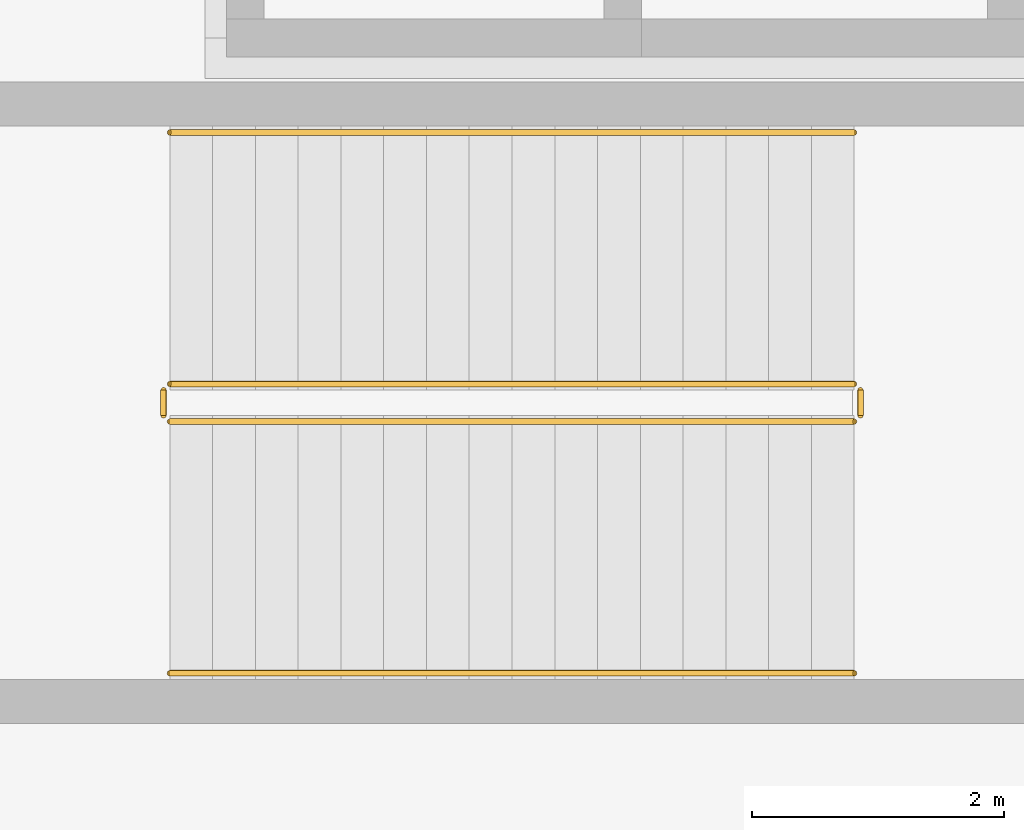
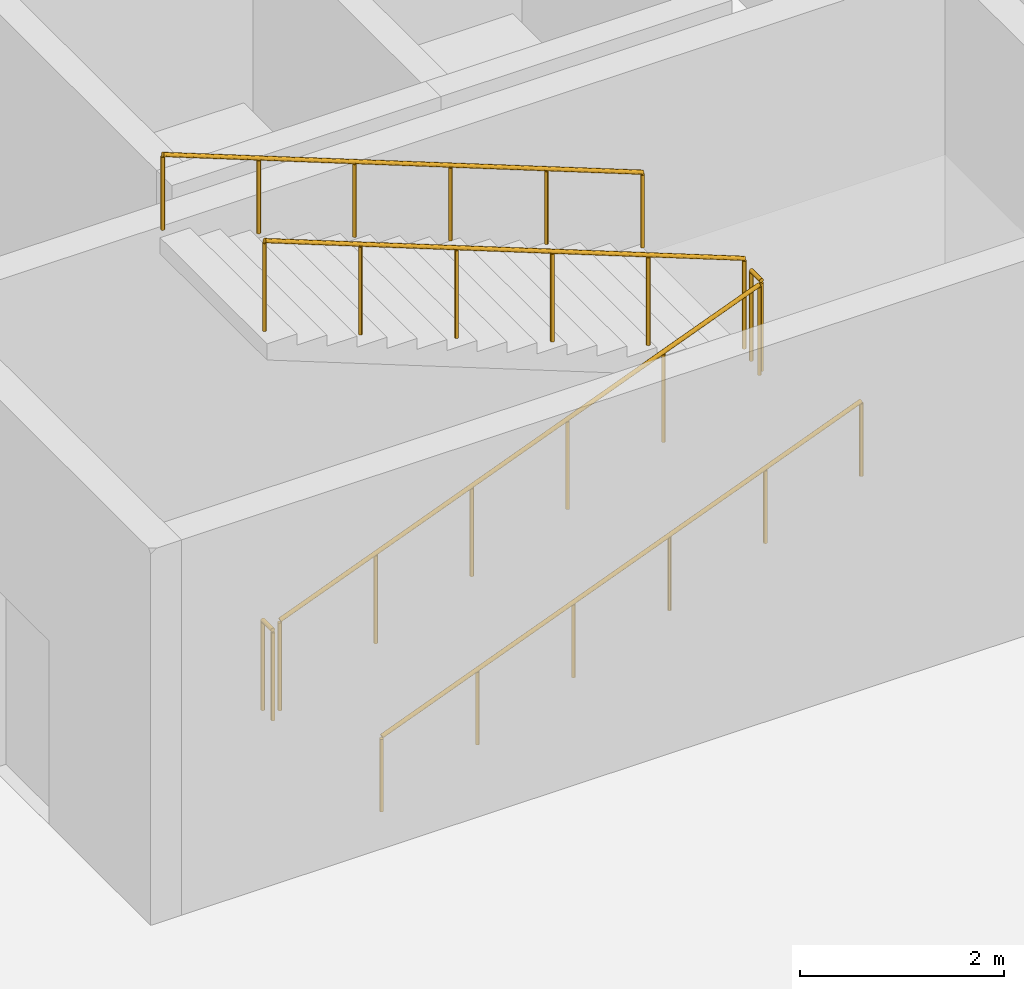
# One storey, part 31 of 33: 6 railings.
"""IFC4 building model written with IfcOpenShell, lengths in metres."""

from ifc_helpers import new_model, si_unit, direction, frame, origin, origin_2d, place, context, subcontext, project, spatial, circle, extrude, material, type_object, element, save


model = new_model("IFC4")

# Units and contexts
model_context = context("Model", 3, precision=1e-05, world=origin(), true_north=direction((0.0, 1.0)))
body_context = subcontext(model_context, "Body", "Model", "MODEL_VIEW")
ifc_project = project(units=[si_unit("LENGTHUNIT", "METRE"), si_unit("AREAUNIT", "SQUARE_METRE"), si_unit("VOLUMEUNIT", "CUBIC_METRE"), si_unit("PLANEANGLEUNIT", "RADIAN"), si_unit("MASSUNIT", "GRAM", prefix="KILO")], contexts=[model_context])

# Site, building, storey
site_placement = place(None, origin())
site = spatial("IfcSite", under=ifc_project, at=site_placement, CompositionType="ELEMENT")
building_placement = place(site_placement, origin())
building = spatial("IfcBuilding", under=site, at=building_placement, Name="Veldera Park Congress Hotel", CompositionType="ELEMENT")
storey_placement = place(building_placement, frame((0.0, 0.0, -4.5)))
storey = spatial("IfcBuildingStorey", under=building, at=storey_placement, Name="B1", CompositionType="ELEMENT", Elevation=-4.5)

# Railings
ifc_material = material(Name="Steel ASTM A992 Gr.50", Category="steel")
railing_type_1 = type_object("IfcRailingType", Name="GRD-ST110", PredefinedType="GUARDRAIL", material=ifc_material)
railing_1_placement = place(storey_placement, frame((73.699951171875, -9.14990234375, 0.13232421875)))
element("IfcRailing", 1, at=railing_1_placement, inside=storey, type_object=railing_type_1, Name="B1 ST2 stair guard 1", PredefinedType="GUARDRAIL", context=body_context, shape_type="SweptSolid", body=[
    extrude(circle(Radius=0.02392578125, at=origin_2d()), frame((0.0, 0.0, 1.076171875), z_axis=(0.93188060822, 0.0, 0.362765119635), x_axis=(0.0, 1.0, 0.0)), (0.0, 0.0, 1.0), 5.837646484375),
    extrude(circle(Radius=0.02099609375, at=origin_2d()), origin(), (0.0, 0.0, 1.0), 1.052001953125),
    extrude(circle(Radius=0.02099609375, at=origin_2d()), frame((1.087890625, 0.0, 0.423583984375)), (0.0, 0.0, 1.0), 1.052001953125),
    extrude(circle(Radius=0.02099609375, at=origin_2d()), frame((2.176025390625, 0.0, 0.84716796875)), (0.0, 0.0, 1.0), 1.052001953125),
    extrude(circle(Radius=0.02099609375, at=origin_2d()), frame((3.263916015625, 0.0, 1.2705078125)), (0.0, 0.0, 1.0), 1.052001953125),
    extrude(circle(Radius=0.02099609375, at=origin_2d()), frame((4.35205078125, 0.0, 1.694091796875)), (0.0, 0.0, 1.0), 1.052001953125),
    extrude(circle(Radius=0.02099609375, at=origin_2d()), frame((5.43994140625, 0.0, 2.11767578125)), (0.0, 0.0, 1.0), 1.052001953125),
])
railing_2_placement = place(storey_placement, frame((79.18994140625, -9.10009765625, 2.25)))
element("IfcRailing", 2, at=railing_2_placement, inside=storey, type_object=railing_type_1, Name="B1 ST2 stair guard 2", PredefinedType="GUARDRAIL", context=body_context, shape_type="SweptSolid", body=[
    extrude(circle(Radius=0.02392578125, at=origin_2d()), frame((0.0, 0.0, 1.076171875), z_axis=(0.0, 1.0, 0.0), x_axis=(-1.0, 0.0, 0.0)), (0.0, 0.0, 1.0), 0.2001953125),
    extrude(circle(Radius=0.02099609375, at=origin_2d()), origin(), (0.0, 0.0, 1.0), 1.052001953125),
    extrude(circle(Radius=0.02099609375, at=origin_2d()), frame((0.0, 0.2001953125, 0.0)), (0.0, 0.0, 1.0), 1.052001953125),
])
railing_3_placement = place(storey_placement, frame((79.139892578125, -8.85009765625, 2.38232421875)))
element("IfcRailing", 3, at=railing_3_placement, inside=storey, type_object=railing_type_1, Name="B1 ST2 stair guard 3", PredefinedType="GUARDRAIL", context=body_context, shape_type="SweptSolid", body=[
    extrude(circle(Radius=0.02392578125, at=origin_2d()), frame((0.0, 0.0, 1.076171875), z_axis=(-0.93188060822, 0.0, 0.362765119635), x_axis=(0.0, -1.0, 0.0)), (0.0, 0.0, 1.0), 5.837646484375),
    extrude(circle(Radius=0.02099609375, at=origin_2d()), origin(), (0.0, 0.0, 1.0), 1.052001953125),
    extrude(circle(Radius=0.02099609375, at=origin_2d()), frame((-1.087890625, 0.0, 0.423583984375)), (0.0, 0.0, 1.0), 1.052001953125),
    extrude(circle(Radius=0.02099609375, at=origin_2d()), frame((-2.176025390625, 0.0, 0.84716796875)), (0.0, 0.0, 1.0), 1.052001953125),
    extrude(circle(Radius=0.02099609375, at=origin_2d()), frame((-3.263916015625, 0.0, 1.2705078125)), (0.0, 0.0, 1.0), 1.052001953125),
    extrude(circle(Radius=0.02099609375, at=origin_2d()), frame((-4.35205078125, 0.0, 1.694091796875)), (0.0, 0.0, 1.0), 1.052001953125),
    extrude(circle(Radius=0.02099609375, at=origin_2d()), frame((-5.43994140625, 0.0, 2.11767578125)), (0.0, 0.0, 1.0), 1.052001953125),
])
railing_4_placement = place(storey_placement, frame((73.64990234375, -9.10009765625, 0.0)))
element("IfcRailing", 4, at=railing_4_placement, inside=storey, type_object=railing_type_1, Name="B1 ST2 stair guard 4", PredefinedType="GUARDRAIL", context=body_context, shape_type="SweptSolid", body=[
    extrude(circle(Radius=0.02392578125, at=origin_2d()), frame((0.0, 0.0, 1.076171875), z_axis=(0.0, 1.0, 0.0), x_axis=(-1.0, 0.0, 0.0)), (0.0, 0.0, 1.0), 0.2001953125),
    extrude(circle(Radius=0.02099609375, at=origin_2d()), origin(), (0.0, 0.0, 1.0), 1.052001953125),
    extrude(circle(Radius=0.02099609375, at=origin_2d()), frame((0.0, 0.2001953125, 0.0)), (0.0, 0.0, 1.0), 1.052001953125),
])
railing_type_2 = type_object("IfcRailingType", Name="HRL-920", PredefinedType="HANDRAIL", material=ifc_material)
railing_5_placement = place(storey_placement, frame((73.699951171875, -11.14990234375, 0.13232421875)))
element("IfcRailing", 5, at=railing_5_placement, inside=storey, type_object=railing_type_2, Name="B1 ST2 stair handrail 1", PredefinedType="HANDRAIL", context=body_context, shape_type="SweptSolid", body=[
    extrude(circle(Radius=0.02392578125, at=origin_2d()), frame((0.0, 0.0, 0.89599609375), z_axis=(0.93188060822, 0.0, 0.362765119635), x_axis=(0.0, 1.0, 0.0)), (0.0, 0.0, 1.0), 5.837646484375),
    extrude(circle(Radius=0.02099609375, at=origin_2d()), origin(), (0.0, 0.0, 1.0), 0.871826171875),
    extrude(circle(Radius=0.02099609375, at=origin_2d()), frame((1.087890625, 0.0, 0.423583984375)), (0.0, 0.0, 1.0), 0.871826171875),
    extrude(circle(Radius=0.02099609375, at=origin_2d()), frame((2.176025390625, 0.0, 0.84716796875)), (0.0, 0.0, 1.0), 0.871826171875),
    extrude(circle(Radius=0.02099609375, at=origin_2d()), frame((3.263916015625, 0.0, 1.2705078125)), (0.0, 0.0, 1.0), 0.871826171875),
    extrude(circle(Radius=0.02099609375, at=origin_2d()), frame((4.35205078125, 0.0, 1.694091796875)), (0.0, 0.0, 1.0), 0.871826171875),
    extrude(circle(Radius=0.02099609375, at=origin_2d()), frame((5.43994140625, 0.0, 2.11767578125)), (0.0, 0.0, 1.0), 0.871826171875),
])
railing_6_placement = place(storey_placement, frame((79.139892578125, -6.85009765625, 2.38232421875)))
element("IfcRailing", 6, at=railing_6_placement, inside=storey, type_object=railing_type_2, Name="B1 ST2 stair handrail 2", PredefinedType="HANDRAIL", context=body_context, shape_type="SweptSolid", body=[
    extrude(circle(Radius=0.02392578125, at=origin_2d()), frame((0.0, 0.0, 0.89599609375), z_axis=(-0.93188060822, 0.0, 0.362765119635), x_axis=(0.0, -1.0, 0.0)), (0.0, 0.0, 1.0), 5.837646484375),
    extrude(circle(Radius=0.02099609375, at=origin_2d()), origin(), (0.0, 0.0, 1.0), 0.871826171875),
    extrude(circle(Radius=0.02099609375, at=origin_2d()), frame((-1.087890625, 0.0, 0.423583984375)), (0.0, 0.0, 1.0), 0.871826171875),
    extrude(circle(Radius=0.02099609375, at=origin_2d()), frame((-2.176025390625, 0.0, 0.84716796875)), (0.0, 0.0, 1.0), 0.871826171875),
    extrude(circle(Radius=0.02099609375, at=origin_2d()), frame((-3.263916015625, 0.0, 1.2705078125)), (0.0, 0.0, 1.0), 0.871826171875),
    extrude(circle(Radius=0.02099609375, at=origin_2d()), frame((-4.35205078125, 0.0, 1.694091796875)), (0.0, 0.0, 1.0), 0.871826171875),
    extrude(circle(Radius=0.02099609375, at=origin_2d()), frame((-5.43994140625, 0.0, 2.11767578125)), (0.0, 0.0, 1.0), 0.871826171875),
])

save(model, "model.ifc")
